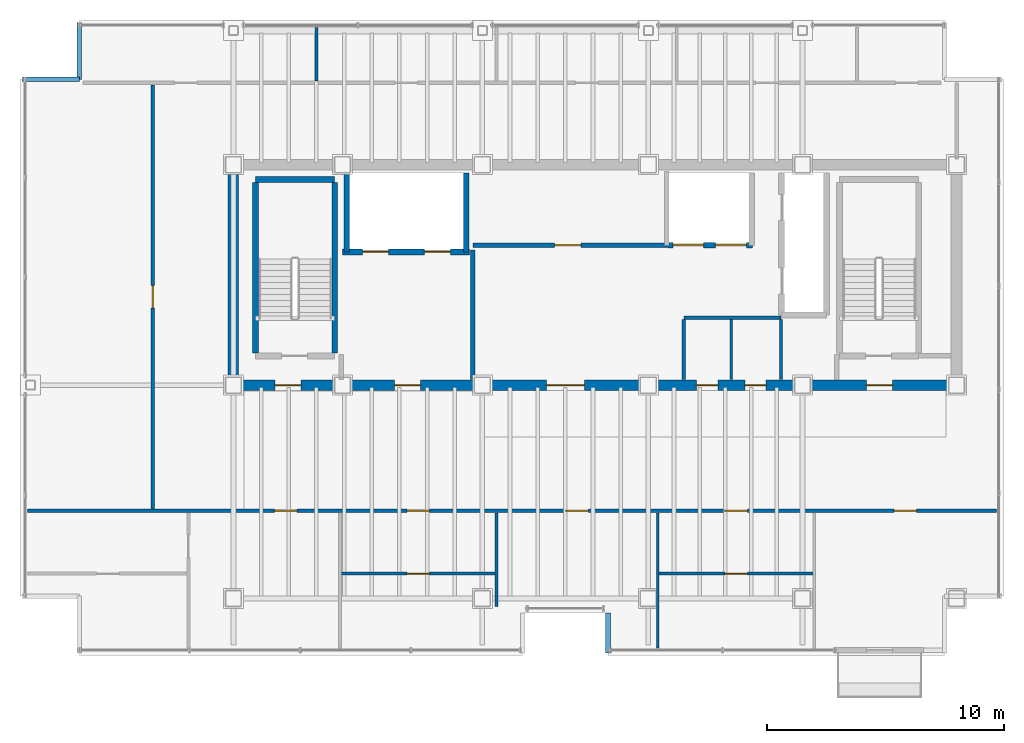
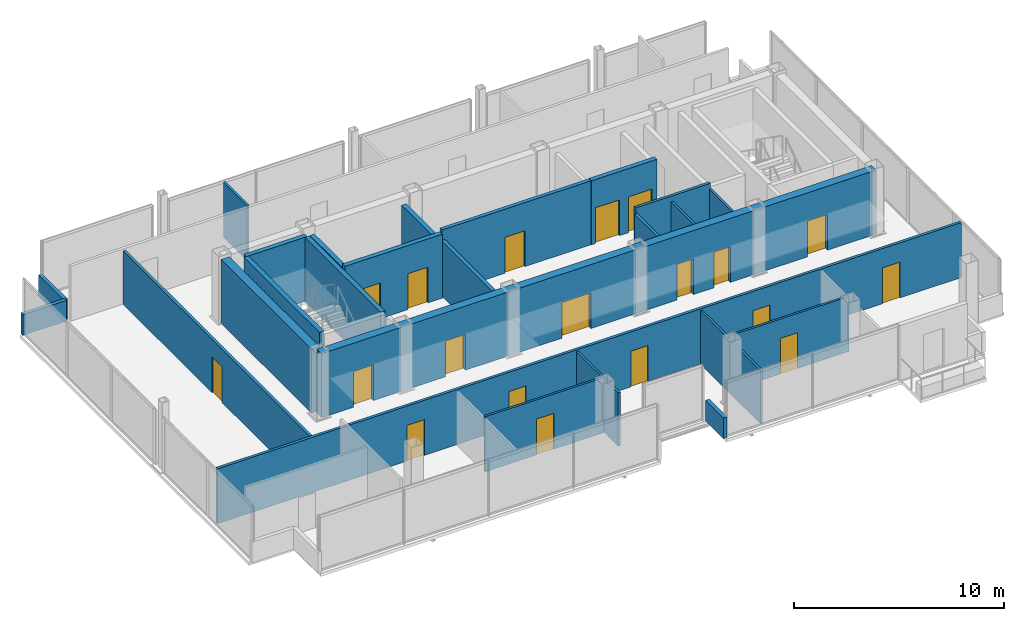
# One storey, part 15 of 17: 25 walls, 19 doors, 19 openings.
"""IFC4 building model written with IfcOpenShell, lengths in metres."""

from ifc_helpers import new_model, si_unit, direction, frame, frame_2d, origin, place, context, subcontext, project, spatial, rectangle, extrude, material, layer, layer_set, type_object, element, fill, save


model = new_model("IFC4")

# Units and contexts
model_context = context("Model", 3, precision=1e-05, world=origin(), true_north=direction((0.0, 1.0)))
body_context = subcontext(model_context, "Body", "Model", "MODEL_VIEW")
ifc_project = project(units=[si_unit("LENGTHUNIT", "METRE"), si_unit("AREAUNIT", "SQUARE_METRE"), si_unit("VOLUMEUNIT", "CUBIC_METRE"), si_unit("PLANEANGLEUNIT", "RADIAN"), si_unit("MASSUNIT", "GRAM", prefix="KILO")], contexts=[model_context])

# Site, building, storey
site_placement = place(None, origin())
site = spatial("IfcSite", under=ifc_project, at=site_placement, CompositionType="ELEMENT")
building_placement = place(site_placement, origin())
building = spatial("IfcBuilding", under=site, at=building_placement, Name="Noeulbin Bourse Tower", CompositionType="ELEMENT")
storey_placement = place(building_placement, frame((0.0, 0.0, 273.5)))
storey = spatial("IfcBuildingStorey", under=building, at=storey_placement, Name="L68", CompositionType="ELEMENT", Elevation=273.5)

# Wall, openings, doors
ifc_material_1 = material(Name="Concrete C50/60", Category="concrete")
ifc_layer_1 = layer(ifc_material_1, 0.449951171875)
ifc_layer_set_1 = layer_set([ifc_layer_1], Name="Concrete C50/60")
wall_type_1 = type_object("IfcWallType", Name="WAL-CORE-450", PredefinedType="SHEAR", material=ifc_layer_set_1)
wall_1_placement = place(storey_placement, frame((13.5, 29.0, 0.0), z_axis=(0.0, 0.0, 1.0), x_axis=(1.0, 0.0, 0.0)))
wall_1 = element("IfcWall", 1, at=wall_1_placement, inside=storey, type_object=wall_type_1, Name="Rear Core South Shear Wall L68", PredefinedType="SHEAR", context=body_context, shape_type="SweptSolid", body=[
    extrude(rectangle(XDim=30.5, YDim=0.449951171875, at=frame_2d((15.25, 0.0))), origin(), (0.0, 0.0, 1.0), 3.719970703125),
])
opening_1_placement = place(wall_1_placement, frame((1.75, 0.0, 0.0)))
opening_1 = element("IfcOpeningElement", 2, at=opening_1_placement, cuts=wall_1, Name="Opening FD-11", PredefinedType="OPENING", context=body_context, shape_type="SweptSolid", body=[
    extrude(rectangle(XDim=1.10009765625, YDim=2.080078125, at=frame_2d((0.550048828125, 1.0400390625))), frame((0.0, 0.23486328125, 0.0), z_axis=(0.0, -1.0, 0.0), x_axis=(1.0, 0.0, 0.0)), (0.0, 0.0, 1.0), 0.469970703125),
])
opening_2_placement = place(wall_1_placement, frame((26.699951171875, 0.0, 0.0)))
opening_2 = element("IfcOpeningElement", 3, at=opening_2_placement, cuts=wall_1, Name="Opening FD-11", PredefinedType="OPENING", context=body_context, shape_type="SweptSolid", body=[
    extrude(rectangle(XDim=1.10009765625, YDim=2.080078125, at=frame_2d((0.550048828125, 1.0400390625))), frame((0.0, 0.23486328125, 0.0), z_axis=(0.0, -1.0, 0.0), x_axis=(1.0, 0.0, 0.0)), (0.0, 0.0, 1.0), 0.469970703125),
])
opening_3_placement = place(wall_1_placement, frame((6.800048828125, 0.0, 0.0)))
opening_3 = element("IfcOpeningElement", 4, at=opening_3_placement, cuts=wall_1, Name="Opening FD-11", PredefinedType="OPENING", context=body_context, shape_type="SweptSolid", body=[
    extrude(rectangle(XDim=1.10009765625, YDim=2.080078125, at=frame_2d((0.550048828125, 1.0400390625))), frame((0.0, 0.23486328125, 0.0), z_axis=(0.0, -1.0, 0.0), x_axis=(1.0, 0.0, 0.0)), (0.0, 0.0, 1.0), 0.469970703125),
])
opening_4_placement = place(wall_1_placement, frame((13.199951171875, 0.0, 0.0)))
opening_4 = element("IfcOpeningElement", 5, at=opening_4_placement, cuts=wall_1, Name="Opening ID-16", PredefinedType="OPENING", context=body_context, shape_type="SweptSolid", body=[
    extrude(rectangle(XDim=1.60009765625, YDim=2.080078125, at=frame_2d((0.800048828125, 1.0400390625))), frame((0.0, 0.23486328125, 0.0), z_axis=(0.0, -1.0, 0.0), x_axis=(1.0, 0.0, 0.0)), (0.0, 0.0, 1.0), 0.469970703125),
])
opening_5_placement = place(wall_1_placement, frame((19.530029296875, 0.0, 0.0)))
opening_5 = element("IfcOpeningElement", 6, at=opening_5_placement, cuts=wall_1, Name="Opening FD-09", PredefinedType="OPENING", context=body_context, shape_type="SweptSolid", body=[
    extrude(rectangle(XDim=0.89990234375, YDim=2.080078125, at=frame_2d((0.449951171875, 1.0400390625))), frame((0.0, 0.23486328125, 0.0), z_axis=(0.0, -1.0, 0.0), x_axis=(1.0, 0.0, 0.0)), (0.0, 0.0, 1.0), 0.469970703125),
])
opening_6_placement = place(wall_1_placement, frame((21.570068359375, 0.0, 0.0)))
opening_6 = element("IfcOpeningElement", 7, at=opening_6_placement, cuts=wall_1, Name="Opening FD-09", PredefinedType="OPENING", context=body_context, shape_type="SweptSolid", body=[
    extrude(rectangle(XDim=0.89990234375, YDim=2.080078125, at=frame_2d((0.449951171875, 1.0400390625))), frame((0.0, 0.23486328125, 0.0), z_axis=(0.0, -1.0, 0.0), x_axis=(1.0, 0.0, 0.0)), (0.0, 0.0, 1.0), 0.469970703125),
])
ifc_material_2 = material(Name="Acoustic Glazed Aluminium", Category="aluminium")
door_type_1 = type_object("IfcDoorType", Name="DR-DBL-1600", OperationType="DOUBLE_DOOR_SINGLE_SWING", PredefinedType="DOOR", material=ifc_material_2)
door_1_placement = place(opening_4_placement, origin())
door_1 = element("IfcDoor", 8, at=door_1_placement, inside=storey, type_object=door_type_1, Name="Passenger Lift Lobby Portal L68", OperationType="DOUBLE_DOOR_SINGLE_SWING", OverallHeight=2.080078125, OverallWidth=1.60009765625, PredefinedType="DOOR", context=body_context, shape_type="SweptSolid", body=[
    extrude(rectangle(XDim=1.60009765625, YDim=2.080078125, at=frame_2d((0.800048828125, 1.0400390625))), frame((0.0, 0.02490234375, 0.0), z_axis=(0.0, -1.0, 0.0), x_axis=(1.0, 0.0, 0.0)), (0.0, 0.0, 1.0), 0.050048828125),
])
fill(opening_4, door_1)
ifc_material_3 = material(Name="Fire-Rated Timber Core", Category="wood")
door_type_2 = type_object("IfcDoorType", Name="DR-FD30-900", OperationType="SINGLE_SWING_RIGHT", PredefinedType="DOOR", material=ifc_material_3)
door_2_placement = place(opening_5_placement, origin())
door_2 = element("IfcDoor", 9, at=door_2_placement, inside=storey, type_object=door_type_2, Name="Interior Door L68-06", OperationType="SINGLE_SWING_RIGHT", OverallHeight=2.080078125, OverallWidth=0.89990234375, PredefinedType="DOOR", context=body_context, shape_type="SweptSolid", body=[
    extrude(rectangle(XDim=0.89990234375, YDim=2.080078125, at=frame_2d((0.449951171875, 1.0400390625))), frame((0.0, 0.02490234375, 0.0), z_axis=(0.0, -1.0, 0.0), x_axis=(1.0, 0.0, 0.0)), (0.0, 0.0, 1.0), 0.050048828125),
])
fill(opening_5, door_2)
door_3_placement = place(opening_6_placement, origin())
door_3 = element("IfcDoor", 10, at=door_3_placement, inside=storey, type_object=door_type_2, Name="Interior Door L68-07", OperationType="SINGLE_SWING_LEFT", OverallHeight=2.080078125, OverallWidth=0.89990234375, PredefinedType="DOOR", context=body_context, shape_type="SweptSolid", body=[
    extrude(rectangle(XDim=0.89990234375, YDim=2.080078125, at=frame_2d((0.449951171875, 1.0400390625))), frame((0.0, 0.02490234375, 0.0), z_axis=(0.0, -1.0, 0.0), x_axis=(1.0, 0.0, 0.0)), (0.0, 0.0, 1.0), 0.050048828125),
])
fill(opening_6, door_3)
ifc_material_4 = material(Name="Fire-Rated Insulated Steel", Category="steel")
door_type_3 = type_object("IfcDoorType", Name="DR-FD60-1100", OperationType="SINGLE_SWING_LEFT", PredefinedType="DOOR", material=ifc_material_4)
door_4_placement = place(opening_1_placement, origin())
door_4 = element("IfcDoor", 11, at=door_4_placement, inside=storey, type_object=door_type_3, Name="West Stair Lobby Door L68", OperationType="SINGLE_SWING_LEFT", OverallHeight=2.080078125, OverallWidth=1.10009765625, PredefinedType="DOOR", context=body_context, shape_type="SweptSolid", body=[
    extrude(rectangle(XDim=1.10009765625, YDim=2.080078125, at=frame_2d((0.550048828125, 1.0400390625))), frame((0.0, 0.02490234375, 0.0), z_axis=(0.0, -1.0, 0.0), x_axis=(1.0, 0.0, 0.0)), (0.0, 0.0, 1.0), 0.050048828125),
])
fill(opening_1, door_4)
door_5_placement = place(opening_2_placement, origin())
door_5 = element("IfcDoor", 12, at=door_5_placement, inside=storey, type_object=door_type_3, Name="East Stair Lobby Door L68", OperationType="SINGLE_SWING_RIGHT", OverallHeight=2.080078125, OverallWidth=1.10009765625, PredefinedType="DOOR", context=body_context, shape_type="SweptSolid", body=[
    extrude(rectangle(XDim=1.10009765625, YDim=2.080078125, at=frame_2d((0.550048828125, 1.0400390625))), frame((0.0, 0.02490234375, 0.0), z_axis=(0.0, -1.0, 0.0), x_axis=(1.0, 0.0, 0.0)), (0.0, 0.0, 1.0), 0.050048828125),
])
fill(opening_2, door_5)
door_6_placement = place(opening_3_placement, origin())
door_6 = element("IfcDoor", 13, at=door_6_placement, inside=storey, type_object=door_type_3, Name="Firefighting Lobby Door L68", OperationType="SINGLE_SWING_LEFT", OverallHeight=2.080078125, OverallWidth=1.10009765625, PredefinedType="DOOR", context=body_context, shape_type="SweptSolid", body=[
    extrude(rectangle(XDim=1.10009765625, YDim=2.080078125, at=frame_2d((0.550048828125, 1.0400390625))), frame((0.0, 0.02490234375, 0.0), z_axis=(0.0, -1.0, 0.0), x_axis=(1.0, 0.0, 0.0)), (0.0, 0.0, 1.0), 0.050048828125),
])
fill(opening_3, door_6)

# Wall
wall_2_placement = place(storey_placement, frame((13.5, 29.35009765625, 0.0), z_axis=(0.0, 0.0, 1.0), x_axis=(0.0, 1.0, 0.0)))
element("IfcWall", 14, at=wall_2_placement, inside=storey, type_object=wall_type_1, Name="Rear Core West Shear Wall L68", PredefinedType="SHEAR", context=body_context, shape_type="SweptSolid", body=[
    extrude(rectangle(XDim=8.599853515625, YDim=0.449951171875, at=frame_2d((4.2998046875, 0.0))), origin(), (0.0, 0.0, 1.0), 3.719970703125),
])

# Wall, opening, door
ifc_material_5 = material(Name="Concrete C40/50", Category="concrete")
ifc_layer_2 = layer(ifc_material_5, 0.199951171875)
ifc_layer_set_2 = layer_set([ifc_layer_2], Name="Concrete C40/50")
wall_type_2 = type_object("IfcWallType", Name="WAL-FIRE-200", PredefinedType="STANDARD", material=ifc_layer_set_2)
wall_3_placement = place(storey_placement, frame((23.60009765625, 34.89990234375, 0.0), z_axis=(0.0, 0.0, 1.0), x_axis=(1.0, 0.0, 0.0)))
wall_3 = element("IfcWall", 15, at=wall_3_placement, inside=storey, type_object=wall_type_2, Name="Interior Partition Wall L68-02", PredefinedType="STANDARD", context=body_context, shape_type="SweptSolid", body=[
    extrude(rectangle(XDim=8.179931640625, YDim=0.199951171875, at=frame_2d((4.08984375, 0.0))), origin(), (0.0, 0.0, 1.0), 3.719970703125),
])
opening_7_placement = place(wall_3_placement, frame((3.449951171875, 0.0, 0.0)))
opening_7 = element("IfcOpeningElement", 16, at=opening_7_placement, cuts=wall_3, Name="Opening FD-11", PredefinedType="OPENING", context=body_context, shape_type="SweptSolid", body=[
    extrude(rectangle(XDim=1.10009765625, YDim=2.080078125, at=frame_2d((0.550048828125, 1.0400390625))), frame((0.0, 0.10986328125, 0.0), z_axis=(0.0, -1.0, 0.0), x_axis=(1.0, 0.0, 0.0)), (0.0, 0.0, 1.0), 0.219970703125),
])
door_7_placement = place(opening_7_placement, origin())
door_7 = element("IfcDoor", 17, at=door_7_placement, inside=storey, type_object=door_type_3, Name="Telemetry Server Door L68", OperationType="SINGLE_SWING_LEFT", OverallHeight=2.080078125, OverallWidth=1.10009765625, PredefinedType="DOOR", context=body_context, shape_type="SweptSolid", body=[
    extrude(rectangle(XDim=1.10009765625, YDim=2.080078125, at=frame_2d((0.550048828125, 1.0400390625))), frame((0.0, 0.02490234375, 0.0), z_axis=(0.0, -1.0, 0.0), x_axis=(1.0, 0.0, 0.0)), (0.0, 0.0, 1.0), 0.050048828125),
])
fill(opening_7, door_7)

# Walls
wall_4_placement = place(storey_placement, frame((23.60009765625, 29.235107421875, 0.0), z_axis=(0.0, 0.0, 1.0), x_axis=(0.0, 1.0, 0.0)))
element("IfcWall", 18, at=wall_4_placement, inside=storey, type_object=wall_type_2, Name="Interior Partition Wall L68-11", PredefinedType="STANDARD", context=body_context, shape_type="SweptSolid", body=[
    extrude(rectangle(XDim=5.46484375, YDim=0.199951171875, at=frame_2d((2.732421875, 0.0))), origin(), (0.0, 0.0, 1.0), 3.199951171875),
])
ifc_layer_3 = layer(ifc_material_5, 0.199951171875)
ifc_layer_set_3 = layer_set([ifc_layer_3], Name="Concrete C40/50")
wall_type_3 = type_object("IfcWallType", Name="WAL-PAR-200", PredefinedType="PARAPET", material=ifc_layer_set_3)
wall_5_placement = place(storey_placement, frame((4.60009765625, 41.89990234375, 0.0), z_axis=(0.0, 0.0, 1.0), x_axis=(1.0, 0.0, 0.0)))
element("IfcWall", 19, at=wall_5_placement, inside=storey, type_object=wall_type_3, Name="Corner Notch Parapet L68-NW1", PredefinedType="PARAPET", context=body_context, shape_type="SweptSolid", body=[
    extrude(rectangle(XDim=2.39990234375, YDim=0.199951171875, at=frame_2d((1.199951171875, 0.0))), origin(), (0.0, 0.0, 1.0), 1.199951171875),
])
wall_6_placement = place(storey_placement, frame((7.0, 41.89990234375, 0.0), z_axis=(0.0, 0.0, 1.0), x_axis=(0.0, 1.0, 0.0)))
element("IfcWall", 20, at=wall_6_placement, inside=storey, type_object=wall_type_3, Name="Corner Notch Parapet L68-NW2", PredefinedType="PARAPET", context=body_context, shape_type="SweptSolid", body=[
    extrude(rectangle(XDim=2.400146484375, YDim=0.199951171875, at=frame_2d((1.2001953125, 0.0))), origin(), (0.0, 0.0, 1.0), 1.199951171875),
])
wall_7_placement = place(storey_placement, frame((29.300048828125, 19.39990234375, 0.0), z_axis=(0.0, 0.0, 1.0), x_axis=(0.0, -1.0, 0.0)))
element("IfcWall", 21, at=wall_7_placement, inside=storey, type_object=wall_type_3, Name="Sky-Garden Recess Parapet L68-E", PredefinedType="PARAPET", context=body_context, shape_type="SweptSolid", body=[
    extrude(rectangle(XDim=1.699951171875, YDim=0.199951171875, at=frame_2d((0.85009765625, 0.0))), origin(), (0.0, 0.0, 1.0), 1.199951171875),
])

# Wall, opening, door
ifc_material_6 = material(Name="Steel Stud Gypsum Partition", Category="steel")
ifc_layer_4 = layer(ifc_material_6, 0.1201171875)
ifc_layer_set_4 = layer_set([ifc_layer_4], Name="Steel Stud Gypsum Partition")
wall_type_4 = type_object("IfcWallType", Name="WAL-PRT-120", PredefinedType="PARTITIONING", material=ifc_layer_set_4)
wall_8_placement = place(storey_placement, frame((18.0, 21.050048828125, 0.0), z_axis=(0.0, 0.0, 1.0), x_axis=(1.0, 0.0, 0.0)))
wall_8 = element("IfcWall", 22, at=wall_8_placement, inside=storey, type_object=wall_type_4, Name="Interior Partition Wall L68-06", PredefinedType="PARTITIONING", context=body_context, shape_type="SweptSolid", body=[
    extrude(rectangle(XDim=6.60009765625, YDim=0.1201171875, at=frame_2d((3.300048828125, 0.0))), origin(), (0.0, 0.0, 1.0), 3.199951171875),
])
opening_8_placement = place(wall_8_placement, frame((2.824951171875, 0.0, 0.0)))
opening_8 = element("IfcOpeningElement", 23, at=opening_8_placement, cuts=wall_8, Name="Opening ID-09", PredefinedType="OPENING", context=body_context, shape_type="SweptSolid", body=[
    extrude(rectangle(XDim=0.949951171875, YDim=2.080078125, at=frame_2d((0.47509765625, 1.0400390625))), frame((0.0, 0.070068359375, 0.0), z_axis=(0.0, -1.0, 0.0), x_axis=(1.0, 0.0, 0.0)), (0.0, 0.0, 1.0), 0.14013671875),
])
ifc_material_7 = material(Name="Acoustic Solid-Core Timber", Category="wood")
door_type_4 = type_object("IfcDoorType", Name="DR-SINGLE-950", OperationType="SINGLE_SWING_LEFT", PredefinedType="DOOR", material=ifc_material_7)
door_8_placement = place(opening_8_placement, origin())
door_8 = element("IfcDoor", 24, at=door_8_placement, inside=storey, type_object=door_type_4, Name="Interior Door L68-11", OperationType="SINGLE_SWING_LEFT", OverallHeight=2.080078125, OverallWidth=0.949951171875, PredefinedType="DOOR", context=body_context, shape_type="SweptSolid", body=[
    extrude(rectangle(XDim=0.949951171875, YDim=2.080078125, at=frame_2d((0.47509765625, 1.0400390625))), frame((0.0, 0.02490234375, 0.0), z_axis=(0.0, -1.0, 0.0), x_axis=(1.0, 0.0, 0.0)), (0.0, 0.0, 1.0), 0.050048828125),
])
fill(opening_8, door_8)

wall_9_placement = place(storey_placement, frame((31.39990234375, 21.050048828125, 0.0), z_axis=(0.0, 0.0, 1.0), x_axis=(1.0, 0.0, 0.0)))
wall_9 = element("IfcWall", 25, at=wall_9_placement, inside=storey, type_object=wall_type_4, Name="Interior Partition Wall L68-07", PredefinedType="PARTITIONING", context=body_context, shape_type="SweptSolid", body=[
    extrude(rectangle(XDim=6.60009765625, YDim=0.1201171875, at=frame_2d((3.300048828125, 0.0))), origin(), (0.0, 0.0, 1.0), 3.199951171875),
])
opening_9_placement = place(wall_9_placement, frame((2.824951171875, 0.0, 0.0)))
opening_9 = element("IfcOpeningElement", 26, at=opening_9_placement, cuts=wall_9, Name="Opening ID-09", PredefinedType="OPENING", context=body_context, shape_type="SweptSolid", body=[
    extrude(rectangle(XDim=0.949951171875, YDim=2.080078125, at=frame_2d((0.47509765625, 1.0400390625))), frame((0.0, 0.070068359375, 0.0), z_axis=(0.0, -1.0, 0.0), x_axis=(1.0, 0.0, 0.0)), (0.0, 0.0, 1.0), 0.14013671875),
])
door_9_placement = place(opening_9_placement, origin())
door_9 = element("IfcDoor", 27, at=door_9_placement, inside=storey, type_object=door_type_4, Name="Interior Door L68-14", OperationType="SINGLE_SWING_RIGHT", OverallHeight=2.080078125, OverallWidth=0.949951171875, PredefinedType="DOOR", context=body_context, shape_type="SweptSolid", body=[
    extrude(rectangle(XDim=0.949951171875, YDim=2.080078125, at=frame_2d((0.47509765625, 1.0400390625))), frame((0.0, 0.02490234375, 0.0), z_axis=(0.0, -1.0, 0.0), x_axis=(1.0, 0.0, 0.0)), (0.0, 0.0, 1.0), 0.050048828125),
])
fill(opening_9, door_9)

# Walls
for number, where, z_axis, x_axis, name in (
    (28, (36.60009765625, 29.235107421875, 0.0), (0.0, 0.0, 1.0), (0.0, 1.0, 0.0), "Interior Partition Wall L68-13"),
    (29, (34.5, 29.235107421875, 0.0), (0.0, 0.0, 1.0), (0.0, 1.0, 0.0), "Interior Partition Wall L68-14"),
):
    element("IfcWall", number, at=place(storey_placement, frame(where, z_axis=z_axis, x_axis=x_axis)), inside=storey, type_object=wall_type_4, Name=name, PredefinedType="PARTITIONING", context=body_context, shape_type="SweptSolid", body=[
        extrude(rectangle(XDim=2.52978515625, YDim=0.1201171875, at=frame_2d((1.264892578125, 0.0))), origin(), (0.0, 0.0, 1.0), 3.39990234375),
    ])
wall_10_placement = place(storey_placement, frame((24.60009765625, 19.669921875, 0.0), z_axis=(0.0, 0.0, 1.0), x_axis=(0.0, 1.0, 0.0)))
element("IfcWall", 30, at=wall_10_placement, inside=storey, type_object=wall_type_4, Name="Interior Partition Wall L68-18", PredefinedType="PARTITIONING", context=body_context, shape_type="SweptSolid", body=[
    extrude(rectangle(XDim=3.945068359375, YDim=0.1201171875, at=frame_2d((1.97265625, 0.0))), origin(), (0.0, 0.0, 1.0), 3.10009765625),
])
wall_11_placement = place(storey_placement, frame((31.39990234375, 17.909912109375, 0.0), z_axis=(0.0, 0.0, 1.0), x_axis=(0.0, 1.0, 0.0)))
element("IfcWall", 31, at=wall_11_placement, inside=storey, type_object=wall_type_4, Name="Interior Partition Wall L68-19", PredefinedType="PARTITIONING", context=body_context, shape_type="SweptSolid", body=[
    extrude(rectangle(XDim=5.705078125, YDim=0.1201171875, at=frame_2d((2.8525390625, 0.0))), origin(), (0.0, 0.0, 1.0), 3.10009765625),
])
wall_12_placement = place(storey_placement, frame((17.0, 41.8349609375, 0.0), z_axis=(0.0, 0.0, 1.0), x_axis=(0.0, 1.0, 0.0)))
element("IfcWall", 32, at=wall_12_placement, inside=storey, type_object=wall_type_4, Name="Interior Partition Wall L68-22", PredefinedType="PARTITIONING", context=body_context, shape_type="SweptSolid", body=[
    extrude(rectangle(XDim=2.255126953125, YDim=0.1201171875, at=frame_2d((1.12744140625, 0.0))), origin(), (0.0, 0.0, 1.0), 3.2119140625),
])
ifc_material_8 = material(Name="Steel Stud Acoustic Gypsum Board", Category="steel")
ifc_layer_5 = layer(ifc_material_8, 0.14990234375)
ifc_layer_set_5 = layer_set([ifc_layer_5], Name="Steel Stud Acoustic Gypsum Board")
wall_type_5 = type_object("IfcWallType", Name="WAL-PRT-150", PredefinedType="PARTITIONING", material=ifc_layer_set_5)
wall_13_placement = place(storey_placement, frame((32.5, 31.85009765625, 0.0), z_axis=(0.0, 0.0, 1.0), x_axis=(1.0, 0.0, 0.0)))
element("IfcWall", 33, at=wall_13_placement, inside=storey, type_object=wall_type_5, Name="Interior Partition Wall L68-03", PredefinedType="PARTITIONING", context=body_context, shape_type="SweptSolid", body=[
    extrude(rectangle(XDim=4.10009765625, YDim=0.14990234375, at=frame_2d((2.050048828125, 0.0))), origin(), (0.0, 0.0, 1.0), 3.719970703125),
])

# Wall, openings, doors
wall_14_placement = place(storey_placement, frame((4.81005859375, 23.699951171875, 0.0), z_axis=(0.0, 0.0, 1.0), x_axis=(1.0, 0.0, 0.0)))
wall_14 = element("IfcWall", 34, at=wall_14_placement, inside=storey, type_object=wall_type_5, Name="Interior Partition Wall L68-04", PredefinedType="PARTITIONING", context=body_context, shape_type="SweptSolid", body=[
    extrude(rectangle(XDim=40.8798828125, YDim=0.14990234375, at=frame_2d((20.43994140625, 0.0))), origin(), (0.0, 0.0, 1.0), 3.199951171875),
])
opening_10_placement = place(wall_14_placement, frame((10.4150390625, 0.0, 0.0)))
opening_10 = element("IfcOpeningElement", 35, at=opening_10_placement, cuts=wall_14, Name="Opening ID-09", PredefinedType="OPENING", context=body_context, shape_type="SweptSolid", body=[
    extrude(rectangle(XDim=0.949951171875, YDim=2.080078125, at=frame_2d((0.47509765625, 1.0400390625))), frame((0.0, 0.0849609375, 0.0), z_axis=(0.0, -1.0, 0.0), x_axis=(1.0, 0.0, 0.0)), (0.0, 0.0, 1.0), 0.169921875),
])
opening_11_placement = place(wall_14_placement, frame((16.014892578125, 0.0, 0.0)))
opening_11 = element("IfcOpeningElement", 36, at=opening_11_placement, cuts=wall_14, Name="Opening ID-09", PredefinedType="OPENING", context=body_context, shape_type="SweptSolid", body=[
    extrude(rectangle(XDim=0.949951171875, YDim=2.080078125, at=frame_2d((0.47509765625, 1.0400390625))), frame((0.0, 0.0849609375, 0.0), z_axis=(0.0, -1.0, 0.0), x_axis=(1.0, 0.0, 0.0)), (0.0, 0.0, 1.0), 0.169921875),
])
opening_12_placement = place(wall_14_placement, frame((22.715087890625, 0.0, 0.0)))
opening_12 = element("IfcOpeningElement", 37, at=opening_12_placement, cuts=wall_14, Name="Opening ID-09", PredefinedType="OPENING", context=body_context, shape_type="SweptSolid", body=[
    extrude(rectangle(XDim=0.949951171875, YDim=2.080078125, at=frame_2d((0.47509765625, 1.0400390625))), frame((0.0, 0.0849609375, 0.0), z_axis=(0.0, -1.0, 0.0), x_axis=(1.0, 0.0, 0.0)), (0.0, 0.0, 1.0), 0.169921875),
])
opening_13_placement = place(wall_14_placement, frame((29.4150390625, 0.0, 0.0)))
opening_13 = element("IfcOpeningElement", 38, at=opening_13_placement, cuts=wall_14, Name="Opening ID-09", PredefinedType="OPENING", context=body_context, shape_type="SweptSolid", body=[
    extrude(rectangle(XDim=0.949951171875, YDim=2.080078125, at=frame_2d((0.47509765625, 1.0400390625))), frame((0.0, 0.0849609375, 0.0), z_axis=(0.0, -1.0, 0.0), x_axis=(1.0, 0.0, 0.0)), (0.0, 0.0, 1.0), 0.169921875),
])
opening_14_placement = place(wall_14_placement, frame((36.56005859375, 0.0, 0.0)))
opening_14 = element("IfcOpeningElement", 39, at=opening_14_placement, cuts=wall_14, Name="Opening ID-09", PredefinedType="OPENING", context=body_context, shape_type="SweptSolid", body=[
    extrude(rectangle(XDim=0.949951171875, YDim=2.080078125, at=frame_2d((0.47509765625, 1.0400390625))), frame((0.0, 0.0849609375, 0.0), z_axis=(0.0, -1.0, 0.0), x_axis=(1.0, 0.0, 0.0)), (0.0, 0.0, 1.0), 0.169921875),
])
door_10_placement = place(opening_10_placement, origin())
door_10 = element("IfcDoor", 40, at=door_10_placement, inside=storey, type_object=door_type_4, Name="Interior Door L68-10", OperationType="SINGLE_SWING_RIGHT", OverallHeight=2.080078125, OverallWidth=0.949951171875, PredefinedType="DOOR", context=body_context, shape_type="SweptSolid", body=[
    extrude(rectangle(XDim=0.949951171875, YDim=2.080078125, at=frame_2d((0.47509765625, 1.0400390625))), frame((0.0, 0.02490234375, 0.0), z_axis=(0.0, -1.0, 0.0), x_axis=(1.0, 0.0, 0.0)), (0.0, 0.0, 1.0), 0.050048828125),
])
fill(opening_10, door_10)
door_11_placement = place(opening_11_placement, origin())
door_11 = element("IfcDoor", 41, at=door_11_placement, inside=storey, type_object=door_type_4, Name="Interior Door L68-12", OperationType="SINGLE_SWING_RIGHT", OverallHeight=2.080078125, OverallWidth=0.949951171875, PredefinedType="DOOR", context=body_context, shape_type="SweptSolid", body=[
    extrude(rectangle(XDim=0.949951171875, YDim=2.080078125, at=frame_2d((0.47509765625, 1.0400390625))), frame((0.0, 0.02490234375, 0.0), z_axis=(0.0, -1.0, 0.0), x_axis=(1.0, 0.0, 0.0)), (0.0, 0.0, 1.0), 0.050048828125),
])
fill(opening_11, door_11)
door_12_placement = place(opening_12_placement, origin())
door_12 = element("IfcDoor", 42, at=door_12_placement, inside=storey, type_object=door_type_4, Name="Interior Door L68-13", OperationType="SINGLE_SWING_LEFT", OverallHeight=2.080078125, OverallWidth=0.949951171875, PredefinedType="DOOR", context=body_context, shape_type="SweptSolid", body=[
    extrude(rectangle(XDim=0.949951171875, YDim=2.080078125, at=frame_2d((0.47509765625, 1.0400390625))), frame((0.0, 0.02490234375, 0.0), z_axis=(0.0, -1.0, 0.0), x_axis=(1.0, 0.0, 0.0)), (0.0, 0.0, 1.0), 0.050048828125),
])
fill(opening_12, door_12)
door_13_placement = place(opening_13_placement, origin())
door_13 = element("IfcDoor", 43, at=door_13_placement, inside=storey, type_object=door_type_4, Name="Interior Door L68-15", OperationType="SINGLE_SWING_LEFT", OverallHeight=2.080078125, OverallWidth=0.949951171875, PredefinedType="DOOR", context=body_context, shape_type="SweptSolid", body=[
    extrude(rectangle(XDim=0.949951171875, YDim=2.080078125, at=frame_2d((0.47509765625, 1.0400390625))), frame((0.0, 0.02490234375, 0.0), z_axis=(0.0, -1.0, 0.0), x_axis=(1.0, 0.0, 0.0)), (0.0, 0.0, 1.0), 0.050048828125),
])
fill(opening_13, door_13)
door_14_placement = place(opening_14_placement, origin())
door_14 = element("IfcDoor", 44, at=door_14_placement, inside=storey, type_object=door_type_4, Name="Interior Door L68-16", OperationType="SINGLE_SWING_RIGHT", OverallHeight=2.080078125, OverallWidth=0.949951171875, PredefinedType="DOOR", context=body_context, shape_type="SweptSolid", body=[
    extrude(rectangle(XDim=0.949951171875, YDim=2.080078125, at=frame_2d((0.47509765625, 1.0400390625))), frame((0.0, 0.02490234375, 0.0), z_axis=(0.0, -1.0, 0.0), x_axis=(1.0, 0.0, 0.0)), (0.0, 0.0, 1.0), 0.050048828125),
])
fill(opening_14, door_14)

# Wall
wall_15_placement = place(storey_placement, frame((32.5, 29.235107421875, 0.0), z_axis=(0.0, 0.0, 1.0), x_axis=(0.0, 1.0, 0.0)))
element("IfcWall", 45, at=wall_15_placement, inside=storey, type_object=wall_type_5, Name="Interior Partition Wall L68-12", PredefinedType="PARTITIONING", context=body_context, shape_type="SweptSolid", body=[
    extrude(rectangle(XDim=2.52978515625, YDim=0.14990234375, at=frame_2d((1.264892578125, 0.0))), origin(), (0.0, 0.0, 1.0), 3.39990234375),
])

# Wall, opening, door
wall_16_placement = place(storey_placement, frame((10.10009765625, 23.784912109375, 0.0), z_axis=(0.0, 0.0, 1.0), x_axis=(0.0, 1.0, 0.0)))
wall_16 = element("IfcWall", 46, at=wall_16_placement, inside=storey, type_object=wall_type_5, Name="Interior Partition Wall L68-15", PredefinedType="PARTITIONING", context=body_context, shape_type="SweptSolid", body=[
    extrude(rectangle(XDim=17.880126953125, YDim=0.14990234375, at=frame_2d((8.93994140625, 0.0))), origin(), (0.0, 0.0, 1.0), 3.10009765625),
])
opening_15_placement = place(wall_16_placement, frame((8.465087890625, 0.0, 0.0)))
opening_15 = element("IfcOpeningElement", 47, at=opening_15_placement, cuts=wall_16, Name="Opening ID-09", PredefinedType="OPENING", context=body_context, shape_type="SweptSolid", body=[
    extrude(rectangle(XDim=0.949951171875, YDim=2.080078125, at=frame_2d((0.47509765625, 1.0400390625))), frame((0.0, 0.0849609375, 0.0), z_axis=(0.0, -1.0, 0.0), x_axis=(1.0, 0.0, 0.0)), (0.0, 0.0, 1.0), 0.169921875),
])
door_15_placement = place(opening_15_placement, origin())
door_15 = element("IfcDoor", 48, at=door_15_placement, inside=storey, type_object=door_type_4, Name="Interior Door L68-17", OperationType="SINGLE_SWING_LEFT", OverallHeight=2.080078125, OverallWidth=0.949951171875, PredefinedType="DOOR", context=body_context, shape_type="SweptSolid", body=[
    extrude(rectangle(XDim=0.949951171875, YDim=2.080078125, at=frame_2d((0.47509765625, 1.0400390625))), frame((0.0, 0.02490234375, 0.0), z_axis=(0.0, -1.0, 0.0), x_axis=(1.0, 0.0, 0.0)), (0.0, 0.0, 1.0), 0.050048828125),
])
fill(opening_15, door_15)

# Walls
ifc_layer_6 = layer(ifc_material_5, 0.25)
ifc_layer_set_6 = layer_set([ifc_layer_6], Name="Concrete C40/50")
wall_type_6 = type_object("IfcWallType", Name="WAL-SHFT-250", PredefinedType="STANDARD", material=ifc_layer_set_6)
wall_17_placement = place(storey_placement, frame((14.429931640625, 37.6689453125, 0.0), z_axis=(0.0, 0.0, 1.0), x_axis=(1.0, 0.0, 0.0)))
element("IfcWall", 49, at=wall_17_placement, inside=storey, type_object=wall_type_6, Name="Stair ST-1 North Shaft Wall L68", PredefinedType="STANDARD", context=body_context, shape_type="SweptSolid", body=[
    extrude(rectangle(XDim=3.340087890625, YDim=0.25, at=frame_2d((1.669921875, 0.0))), origin(), (0.0, 0.0, 1.0), 3.719970703125),
])
for number, where, z_axis, x_axis, name in (
    (50, (14.425048828125, 30.360107421875, 0.0), (0.0, 0.0, 1.0), (0.0, 1.0, 0.0), "Stair ST-1 West Shaft Wall L68"),
    (51, (17.77490234375, 30.360107421875, 0.0), (0.0, 0.0, 1.0), (0.0, 1.0, 0.0), "Stair ST-1 East Shaft Wall L68"),
):
    element("IfcWall", number, at=place(storey_placement, frame(where, z_axis=z_axis, x_axis=x_axis)), inside=storey, type_object=wall_type_6, Name=name, PredefinedType="STANDARD", context=body_context, shape_type="SweptSolid", body=[
        extrude(rectangle(XDim=7.183837890625, YDim=0.25, at=frame_2d((3.591796875, 0.0))), origin(), (0.0, 0.0, 1.0), 3.719970703125),
    ])

# Wall, openings, doors
wall_18_placement = place(storey_placement, frame((18.10009765625, 34.6201171875, 0.0), z_axis=(0.0, 0.0, 1.0), x_axis=(1.0, 0.0, 0.0)))
wall_18 = element("IfcWall", 52, at=wall_18_placement, inside=storey, type_object=wall_type_6, Name="Firefighting Lift Shaft Front L68", PredefinedType="STANDARD", context=body_context, shape_type="SweptSolid", body=[
    extrude(rectangle(XDim=5.349853515625, YDim=0.25, at=frame_2d((2.6748046875, 0.0))), origin(), (0.0, 0.0, 1.0), 3.719970703125),
])
opening_16_placement = place(wall_18_placement, frame((0.85009765625, 0.0, 0.0)))
opening_16 = element("IfcOpeningElement", 53, at=opening_16_placement, cuts=wall_18, Name="Opening LD-11", PredefinedType="OPENING", context=body_context, shape_type="SweptSolid", body=[
    extrude(rectangle(XDim=1.10009765625, YDim=2.080078125, at=frame_2d((0.550048828125, 1.0400390625))), frame((0.0, 0.135009765625, 0.0), z_axis=(0.0, -1.0, 0.0), x_axis=(1.0, 0.0, 0.0)), (0.0, 0.0, 1.0), 0.27001953125),
])
opening_17_placement = place(wall_18_placement, frame((3.449951171875, 0.0, 0.0)))
opening_17 = element("IfcOpeningElement", 54, at=opening_17_placement, cuts=wall_18, Name="Opening LD-11", PredefinedType="OPENING", context=body_context, shape_type="SweptSolid", body=[
    extrude(rectangle(XDim=1.10009765625, YDim=2.080078125, at=frame_2d((0.550048828125, 1.0400390625))), frame((0.0, 0.135009765625, 0.0), z_axis=(0.0, -1.0, 0.0), x_axis=(1.0, 0.0, 0.0)), (0.0, 0.0, 1.0), 0.27001953125),
])
ifc_material_9 = material(Name="Brushed Stainless Steel 316", Category="steel")
door_type_5 = type_object("IfcDoorType", Name="DR-LIFT-1100", OperationType="SLIDING_TO_LEFT", PredefinedType="DOOR", material=ifc_material_9)
door_16_placement = place(opening_16_placement, origin())
door_16 = element("IfcDoor", 55, at=door_16_placement, inside=storey, type_object=door_type_5, Name="Lift Landing Door LD-FL-01-L68", OperationType="SLIDING_TO_LEFT", OverallHeight=2.080078125, OverallWidth=1.10009765625, PredefinedType="DOOR", context=body_context, shape_type="SweptSolid", body=[
    extrude(rectangle(XDim=1.10009765625, YDim=2.080078125, at=frame_2d((0.550048828125, 1.0400390625))), frame((0.0, 0.02490234375, 0.0), z_axis=(0.0, -1.0, 0.0), x_axis=(1.0, 0.0, 0.0)), (0.0, 0.0, 1.0), 0.050048828125),
])
fill(opening_16, door_16)
door_17_placement = place(opening_17_placement, origin())
door_17 = element("IfcDoor", 56, at=door_17_placement, inside=storey, type_object=door_type_5, Name="Lift Landing Door LD-FL-02-L68", OperationType="SLIDING_TO_LEFT", OverallHeight=2.080078125, OverallWidth=1.10009765625, PredefinedType="DOOR", context=body_context, shape_type="SweptSolid", body=[
    extrude(rectangle(XDim=1.10009765625, YDim=2.080078125, at=frame_2d((0.550048828125, 1.0400390625))), frame((0.0, 0.02490234375, 0.0), z_axis=(0.0, -1.0, 0.0), x_axis=(1.0, 0.0, 0.0)), (0.0, 0.0, 1.0), 0.050048828125),
])
fill(opening_17, door_17)

# Walls
for number, where, z_axis, x_axis, name in (
    (57, (18.280029296875, 34.6201171875, 0.0), (0.0, 0.0, 1.0), (0.0, 1.0, 0.0), "Firefighting Lift West Shaft Wall L68"),
    (58, (23.320068359375, 34.6201171875, 0.0), (0.0, 0.0, 1.0), (0.0, 1.0, 0.0), "Firefighting Lift East Shaft Wall L68"),
):
    element("IfcWall", number, at=place(storey_placement, frame(where, z_axis=z_axis, x_axis=x_axis)), inside=storey, type_object=wall_type_6, Name=name, PredefinedType="STANDARD", context=body_context, shape_type="SweptSolid", body=[
        extrude(rectangle(XDim=3.329833984375, YDim=0.25, at=frame_2d((1.6650390625, 0.0))), origin(), (0.0, 0.0, 1.0), 3.39990234375),
    ])

# Wall, openings, doors
wall_19_placement = place(storey_placement, frame((31.800048828125, 34.89990234375, 0.0), z_axis=(0.0, 0.0, 1.0), x_axis=(1.0, 0.0, 0.0)))
wall_19 = element("IfcWall", 59, at=wall_19_placement, inside=storey, type_object=wall_type_6, Name="High-Rise Lift Bank Front L68", PredefinedType="STANDARD", context=body_context, shape_type="SweptSolid", body=[
    extrude(rectangle(XDim=3.599853515625, YDim=0.25, at=frame_2d((1.7998046875, 0.0))), origin(), (0.0, 0.0, 1.0), 3.719970703125),
])
opening_18_placement = place(wall_19_placement, frame((0.22998046875, 0.0, 0.0)))
opening_18 = element("IfcOpeningElement", 60, at=opening_18_placement, cuts=wall_19, Name="Opening LD-13", PredefinedType="OPENING", context=body_context, shape_type="SweptSolid", body=[
    extrude(rectangle(XDim=1.300048828125, YDim=2.080078125, at=frame_2d((0.64990234375, 1.0400390625))), frame((0.0, 0.135009765625, 0.0), z_axis=(0.0, -1.0, 0.0), x_axis=(1.0, 0.0, 0.0)), (0.0, 0.0, 1.0), 0.27001953125),
])
opening_19_placement = place(wall_19_placement, frame((2.030029296875, 0.0, 0.0)))
opening_19 = element("IfcOpeningElement", 61, at=opening_19_placement, cuts=wall_19, Name="Opening LD-13", PredefinedType="OPENING", context=body_context, shape_type="SweptSolid", body=[
    extrude(rectangle(XDim=1.300048828125, YDim=2.080078125, at=frame_2d((0.64990234375, 1.0400390625))), frame((0.0, 0.135009765625, 0.0), z_axis=(0.0, -1.0, 0.0), x_axis=(1.0, 0.0, 0.0)), (0.0, 0.0, 1.0), 0.27001953125),
])
door_type_6 = type_object("IfcDoorType", Name="DR-LIFT-1300", OperationType="DOUBLE_DOOR_SLIDING", PredefinedType="DOOR", material=ifc_material_9)
door_18_placement = place(opening_18_placement, origin())
door_18 = element("IfcDoor", 62, at=door_18_placement, inside=storey, type_object=door_type_6, Name="Lift Landing Door LD-PL-H1-L68", OperationType="DOUBLE_DOOR_SLIDING", OverallHeight=2.080078125, OverallWidth=1.300048828125, PredefinedType="DOOR", context=body_context, shape_type="SweptSolid", body=[
    extrude(rectangle(XDim=1.300048828125, YDim=2.080078125, at=frame_2d((0.64990234375, 1.0400390625))), frame((0.0, 0.02490234375, 0.0), z_axis=(0.0, -1.0, 0.0), x_axis=(1.0, 0.0, 0.0)), (0.0, 0.0, 1.0), 0.050048828125),
])
fill(opening_18, door_18)
door_19_placement = place(opening_19_placement, origin())
door_19 = element("IfcDoor", 63, at=door_19_placement, inside=storey, type_object=door_type_6, Name="Lift Landing Door LD-PL-H2-L68", OperationType="DOUBLE_DOOR_SLIDING", OverallHeight=2.080078125, OverallWidth=1.300048828125, PredefinedType="DOOR", context=body_context, shape_type="SweptSolid", body=[
    extrude(rectangle(XDim=1.300048828125, YDim=2.080078125, at=frame_2d((0.64990234375, 1.0400390625))), frame((0.0, 0.02490234375, 0.0), z_axis=(0.0, -1.0, 0.0), x_axis=(1.0, 0.0, 0.0)), (0.0, 0.0, 1.0), 0.050048828125),
])
fill(opening_19, door_19)

save(model, "model.ifc")
